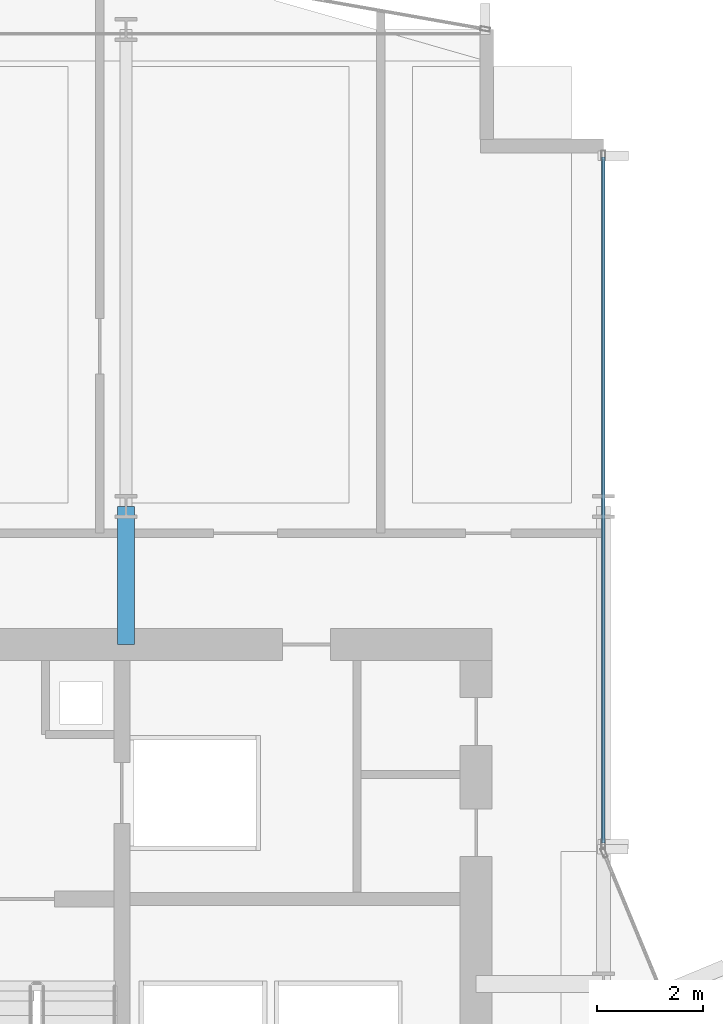
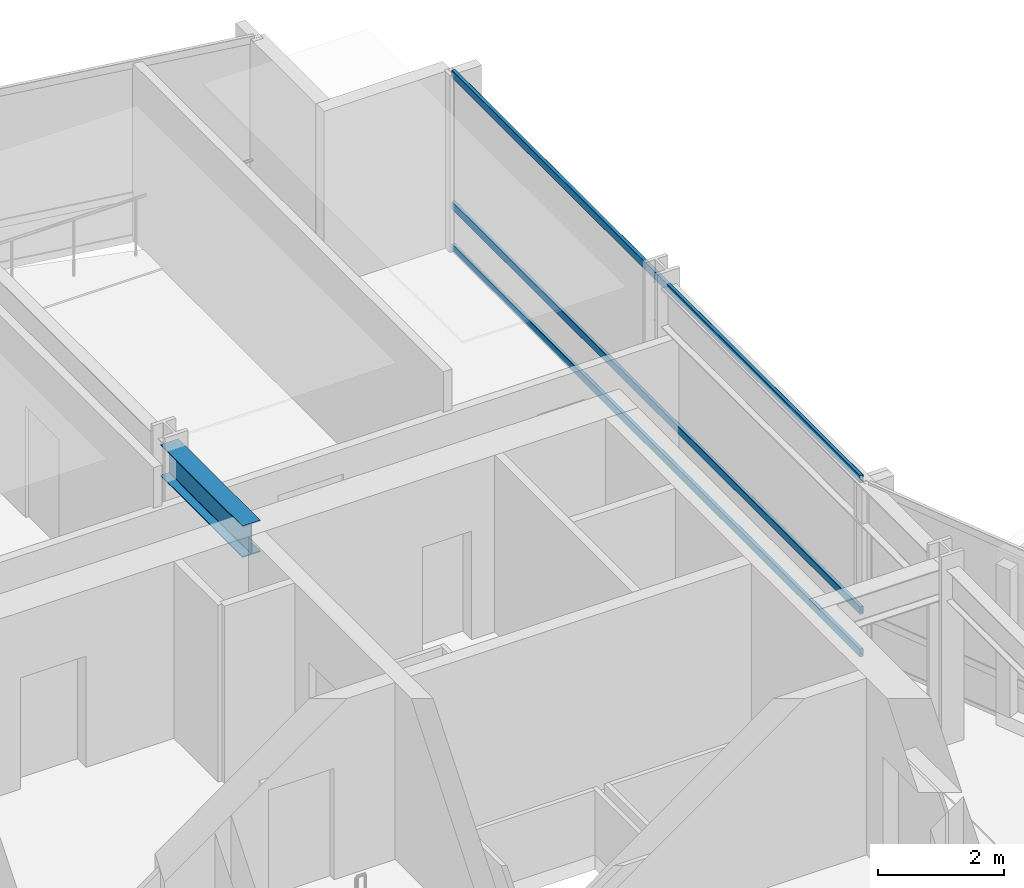
# One storey, part 18 of 28: 3 members, 1 beam, 1 element without a shape of its own.
"""IFC4 building model written with IfcOpenShell, lengths in metres."""

from ifc_helpers import new_model, si_unit, direction, frame, origin, origin_2d, place, context, subcontext, project, spatial, hollow_rectangle, i_section, extrude, material, layer, layer_set, material_profile, profile_set, type_object, element, aggregate, save


model = new_model("IFC4")

# Units and contexts
model_context = context("Model", 3, precision=1e-05, world=origin(), true_north=direction((0.0, 1.0)))
body_context = subcontext(model_context, "Body", "Model", "MODEL_VIEW")
ifc_project = project(units=[si_unit("LENGTHUNIT", "METRE"), si_unit("AREAUNIT", "SQUARE_METRE"), si_unit("VOLUMEUNIT", "CUBIC_METRE"), si_unit("PLANEANGLEUNIT", "RADIAN"), si_unit("MASSUNIT", "GRAM", prefix="KILO")], contexts=[model_context])

# Site, building, storey
site_placement = place(None, origin())
site = spatial("IfcSite", under=ifc_project, at=site_placement, CompositionType="ELEMENT")
building_placement = place(site_placement, origin())
building = spatial("IfcBuilding", under=site, at=building_placement, Name="Solvaryn Broadcast Tower", CompositionType="ELEMENT")
storey_placement = place(building_placement, frame((0.0, 0.0, 110.0)))
storey = spatial("IfcBuildingStorey", under=building, at=storey_placement, Name="L26", CompositionType="ELEMENT", Elevation=110.0)

# Beam
ifc_material_1 = material(Name="Steel ASTM A992 Grade 50", Category="steel")
ifc_material_profile_1 = material_profile(ifc_material_1, i_section(OverallWidth=0.323974609375, OverallDepth=0.611083984375, WebThickness=0.0126953125, FlangeThickness=0.01904296875, FilletRadius=0.014892578125, at=origin_2d()))
ifc_profile_set_1 = profile_set([ifc_material_profile_1], Name="Steel ASTM A992 Grade 50")
beam_type = type_object("IfcBeamType", Name="BM-B1-W24X104", PredefinedType="BEAM", material=ifc_profile_set_1)
beam_placement = place(storey_placement, frame((18.0, 42.39990234375, 3.114501953125), z_axis=(0.0, 1.0, 0.0), x_axis=(-1.0, 0.0, 0.0)))
element("IfcBeam", 1, at=beam_placement, inside=storey, type_object=beam_type, Name="L26 Core Tie Beam CTW3", PredefinedType="BEAM", context=body_context, shape_type="SweptSolid", body=[
    extrude(i_section(OverallWidth=0.323974609375, OverallDepth=0.611083984375, WebThickness=0.0126953125, FlangeThickness=0.01904296875, FilletRadius=0.014892578125, at=origin_2d()), origin(), (0.0, 0.0, 1.0), 2.60009765625),
])

# Curtain wall, members
ifc_material_2 = material(Name="Aluminium and Terracotta Unitised Curtain Wall", Category="masonry")
ifc_layer = layer(ifc_material_2, 0.199951171875)
ifc_layer_set = layer_set([ifc_layer], Name="CW-SYS2-LOWMID")
curtain_wall_type = type_object("IfcCurtainWallType", Name="CW-SYS2-LOWMID", PredefinedType="NOTDEFINED", material=ifc_layer_set)
curtain_wall_placement = place(storey_placement, origin())
curtain_wall = element("IfcCurtainWall", 2, at=curtain_wall_placement, inside=storey, type_object=curtain_wall_type, Name="L26 Curtain Wall IV", PredefinedType="NOTDEFINED")
ifc_material_3 = material(Name="Anodised Aluminium 6063-T6", Category="aluminium")
ifc_material_profile_2 = material_profile(ifc_material_3, hollow_rectangle(XDim=0.06494140625, YDim=0.14990234375, WallThickness=0.00390625, InnerFilletRadius=0.00390625, OuterFilletRadius=0.008056640625, at=origin_2d()))
ifc_profile_set_2 = profile_set([ifc_material_profile_2], Name="Anodised Aluminium 6063-T6")
member_type = type_object("IfcMemberType", Name="CW-TRN-150", PredefinedType="USERDEFINED", material=ifc_profile_set_2)
member_1_placement = place(storey_placement, frame((27.0, 51.590087890625, 0.030029296875), z_axis=(0.0, -1.0, 0.0), x_axis=(1.0, 0.0, 0.0)))
member_1 = element("IfcMember", 3, at=member_1_placement, type_object=member_type, Name="CWS2 transom 1.1", ObjectType="TRANSOM", PredefinedType="USERDEFINED", context=body_context, shape_type="SweptSolid", body=[
    extrude(hollow_rectangle(XDim=0.06494140625, YDim=0.14990234375, WallThickness=0.00390625, InnerFilletRadius=0.00390625, OuterFilletRadius=0.008056640625, at=origin_2d()), origin(), (0.0, 0.0, 1.0), 12.93017578125),
])
member_2_placement = place(storey_placement, frame((27.0, 51.590087890625, 0.85009765625), z_axis=(0.0, -1.0, 0.0), x_axis=(1.0, 0.0, 0.0)))
member_2 = element("IfcMember", 4, at=member_2_placement, type_object=member_type, Name="CWS2 transom 1.2", ObjectType="TRANSOM", PredefinedType="USERDEFINED", context=body_context, shape_type="SweptSolid", body=[
    extrude(hollow_rectangle(XDim=0.06494140625, YDim=0.14990234375, WallThickness=0.00390625, InnerFilletRadius=0.00390625, OuterFilletRadius=0.008056640625, at=origin_2d()), origin(), (0.0, 0.0, 1.0), 12.93017578125),
])
member_3_placement = place(storey_placement, frame((27.0, 51.590087890625, 3.389892578125), z_axis=(0.0, -1.0, 0.0), x_axis=(1.0, 0.0, 0.0)))
member_3 = element("IfcMember", 5, at=member_3_placement, type_object=member_type, Name="CWS2 transom 1.3", ObjectType="TRANSOM", PredefinedType="USERDEFINED", context=body_context, shape_type="SweptSolid", body=[
    extrude(hollow_rectangle(XDim=0.06494140625, YDim=0.14990234375, WallThickness=0.00390625, InnerFilletRadius=0.00390625, OuterFilletRadius=0.008056640625, at=origin_2d()), origin(), (0.0, 0.0, 1.0), 12.93017578125),
])
aggregate(curtain_wall, [member_1, member_2, member_3])

save(model, "model.ifc")
